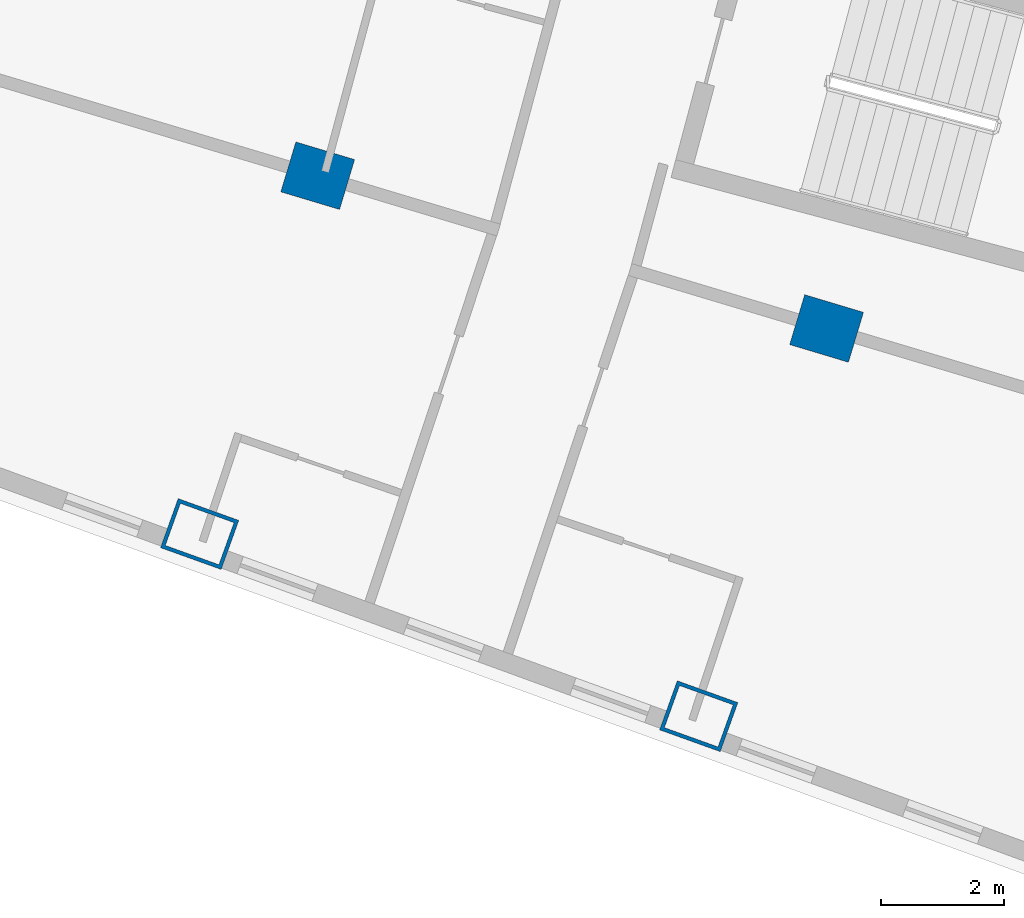
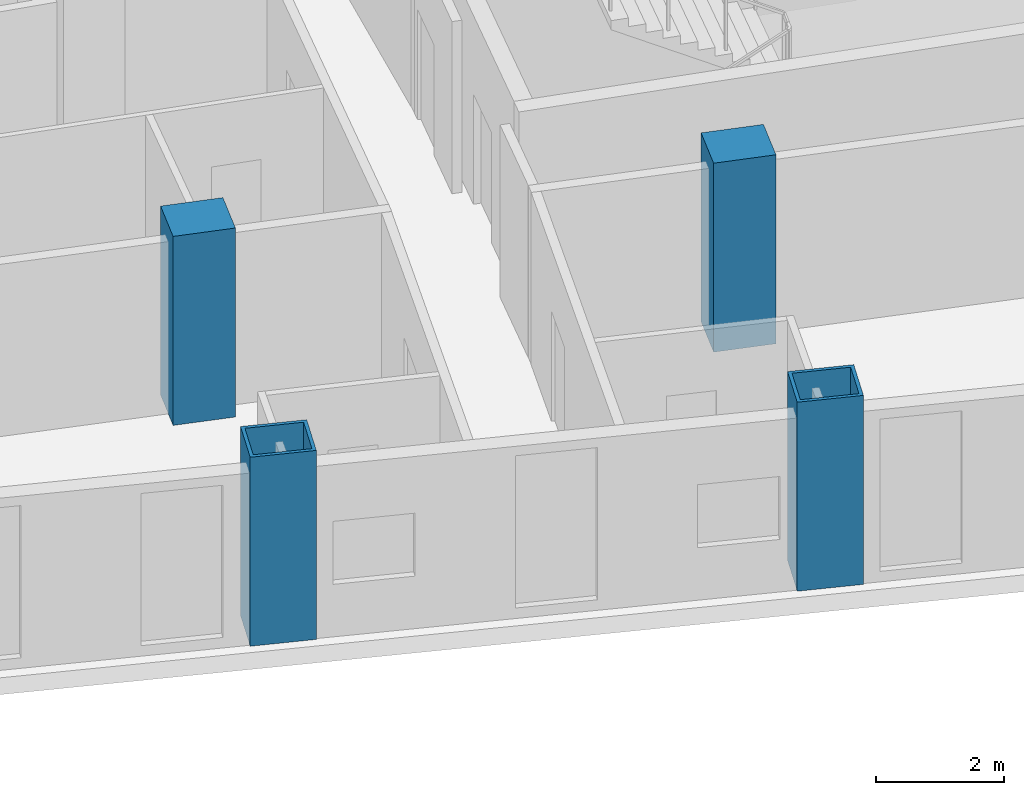
# One storey, part 2 of 25: 4 columns.
"""IFC4 building model written with IfcOpenShell, lengths in metres."""

from ifc_helpers import new_model, si_unit, direction, frame, origin, origin_2d, place, context, subcontext, project, spatial, rectangle, hollow_rectangle, extrude, material, material_profile, profile_set, type_object, element, save


model = new_model("IFC4")

# Units and contexts
model_context = context("Model", 3, precision=1e-05, world=origin(), true_north=direction((0.0, 1.0)))
body_context = subcontext(model_context, "Body", "Model", "MODEL_VIEW")
ifc_project = project(units=[si_unit("LENGTHUNIT", "METRE"), si_unit("AREAUNIT", "SQUARE_METRE"), si_unit("VOLUMEUNIT", "CUBIC_METRE"), si_unit("PLANEANGLEUNIT", "RADIAN"), si_unit("MASSUNIT", "GRAM", prefix="KILO")], contexts=[model_context])

# Site, building, storey
site_placement = place(None, origin())
site = spatial("IfcSite", under=ifc_project, at=site_placement, CompositionType="ELEMENT")
building_placement = place(site_placement, origin())
building = spatial("IfcBuilding", under=site, at=building_placement, Name="Alderwake Tower", CompositionType="ELEMENT")
storey_placement = place(building_placement, frame((0.0, 0.0, 86.0)))
storey = spatial("IfcBuildingStorey", under=building, at=storey_placement, Name="L20", CompositionType="ELEMENT", Elevation=86.0)

# Columns
ifc_material_1 = material(Name="Steel ASTM A572 Grade 50 concrete filled C70/85", Category="concrete")
ifc_material_profile_1 = material_profile(ifc_material_1, hollow_rectangle(XDim=0.85009765625, YDim=1.050048828125, WallThickness=0.06005859375, at=origin_2d()), Name="BOX 1050X850X60")
ifc_profile_set_1 = profile_set([ifc_material_profile_1], Name="Steel ASTM A572 Grade 50 concrete filled C70/85")
column_type_1 = type_object("IfcColumnType", Name="End column Z2", PredefinedType="COLUMN", material=ifc_profile_set_1)
for number, where, z_axis, x_axis, name in (
    (1, (28.983642578125, 21.856689453125, 0.0), (0.0, 0.0, 1.0), (0.338026774049, 0.941136493834, 0.0), "Column R01-C2"),
    (2, (37.125, 18.884765625, 0.0), (0.0, 0.0, 1.0), (0.338365126362, 0.941014899596, 0.0), "Column R01-C3"),
):
    element("IfcColumn", number, at=place(storey_placement, frame(where, z_axis=z_axis, x_axis=x_axis)), inside=storey, type_object=column_type_1, Name=name, PredefinedType="COLUMN", context=body_context, shape_type="SweptSolid", body=[
        extrude(hollow_rectangle(XDim=0.85009765625, YDim=1.050048828125, WallThickness=0.06005859375, at=origin_2d()), origin(), (0.0, 0.0, 1.0), 3.60009765625),
    ])
ifc_material_2 = material(Name="Concrete C70/85", Category="concrete")
ifc_material_profile_2 = material_profile(ifc_material_2, rectangle(XDim=0.85009765625, YDim=1.0, at=origin_2d()), Name="RC 1000X850")
ifc_profile_set_2 = profile_set([ifc_material_profile_2], Name="Concrete C70/85")
column_type_2 = type_object("IfcColumnType", Name="Interior column Z2", PredefinedType="COLUMN", material=ifc_profile_set_2)
for number, where, z_axis, x_axis, name in (
    (3, (30.9091796875, 27.701904296875, 0.0), (0.0, 0.0, 1.0), (0.287549418125, 0.957765802342, 0.0), "Column R02-C2"),
    (4, (39.2099609375, 25.209716796875, 0.0), (0.0, 0.0, 1.0), (0.287549418125, 0.957765802342, 0.0), "Column R02-C3"),
):
    element("IfcColumn", number, at=place(storey_placement, frame(where, z_axis=z_axis, x_axis=x_axis)), inside=storey, type_object=column_type_2, Name=name, PredefinedType="COLUMN", context=body_context, shape_type="SweptSolid", body=[
        extrude(rectangle(XDim=0.85009765625, YDim=1.0, at=origin_2d()), origin(), (0.0, 0.0, 1.0), 3.60009765625),
    ])

save(model, "model.ifc")
